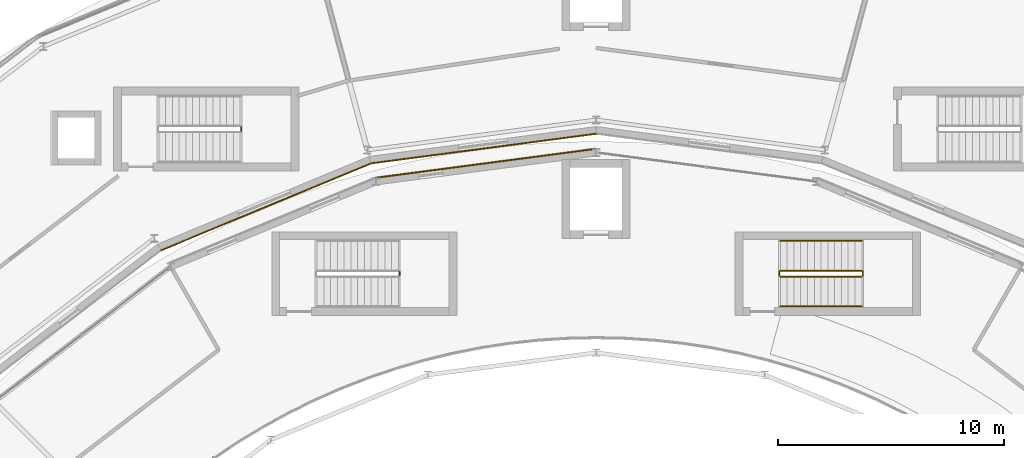
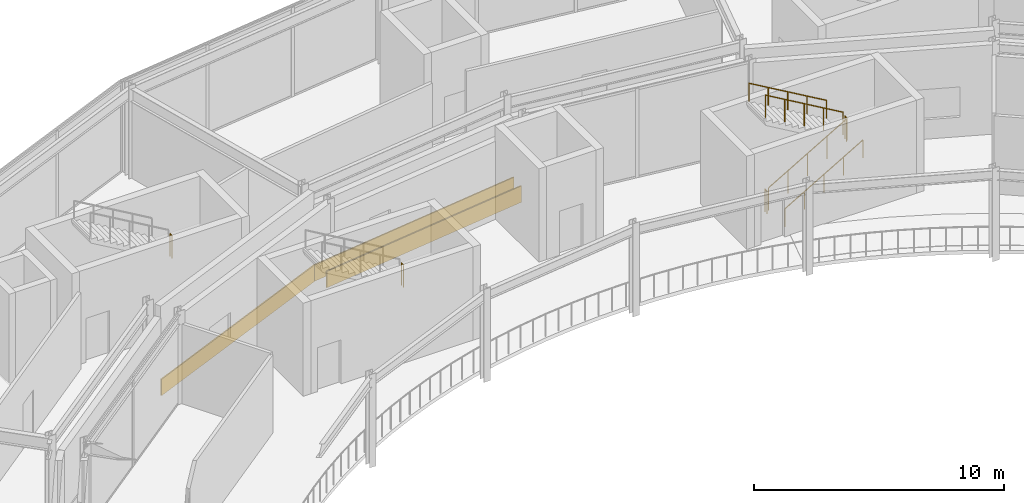
# One storey, part 126 of 133: 8 railings, 3 coverings.
"""IFC4 building model written with IfcOpenShell, lengths in metres."""

from ifc_helpers import new_model, si_unit, direction, frame, origin, origin_2d, place, context, subcontext, project, spatial, rectangle, circle, extrude, material, layer, layer_set, type_object, element, save


model = new_model("IFC4")

# Units and contexts
model_context = context("Model", 3, precision=1e-05, world=origin(), true_north=direction((0.0, 1.0)))
body_context = subcontext(model_context, "Body", "Model", "MODEL_VIEW")
ifc_project = project(units=[si_unit("LENGTHUNIT", "METRE"), si_unit("AREAUNIT", "SQUARE_METRE"), si_unit("VOLUMEUNIT", "CUBIC_METRE"), si_unit("PLANEANGLEUNIT", "RADIAN"), si_unit("MASSUNIT", "GRAM", prefix="KILO")], contexts=[model_context])

# Site, building, storey
site_placement = place(None, origin())
site = spatial("IfcSite", under=ifc_project, at=site_placement, CompositionType="ELEMENT")
building_placement = place(site_placement, origin())
building = spatial("IfcBuilding", under=site, at=building_placement, Name="Almandine Court Research Institute", CompositionType="ELEMENT")
storey_placement = place(building_placement, frame((0.0, 0.0, 9.800048828125)))
storey = spatial("IfcBuildingStorey", under=building, at=storey_placement, Name="L02", CompositionType="ELEMENT", Elevation=9.800048828125)

# Coverings
ifc_material_1 = material(Name="Extruded Cream-Ochre Seismic Terracotta Spandrel", Category="masonry")
ifc_layer = layer(ifc_material_1, 0.054931640625)
ifc_layer_set = layer_set([ifc_layer], Name="Extruded Cream-Ochre Seismic Terracotta Spandrel")
covering_type = type_object("IfcCoveringType", Name="Cov-CLAD-TERR", PredefinedType="CLADDING", material=ifc_layer_set)
for number, where, z_axis, x_axis, name in (
    (1, (82.01904296875, 93.83203125, 0.02001953125), (0.0, 0.0, 1.0), (-0.991444861374, -0.13052619222, 0.0), "L02 Facade Spandrel Cladding Band 353"),
    (2, (72.39697265625, 91.25390625, 0.02001953125), (0.0, 0.0, 1.0), (-0.923879532511, -0.382683432365, 0.0), "L02 Facade Spandrel Cladding Band 355"),
):
    element("IfcCovering", number, at=place(storey_placement, frame(where, z_axis=z_axis, x_axis=x_axis)), inside=storey, type_object=covering_type, Name=name, PredefinedType="CLADDING", context=body_context, shape_type="SweptSolid", body=[
        extrude(rectangle(XDim=10.080078125, YDim=0.054931640625, at=origin_2d()), origin(), (0.0, 0.0, 1.0), 0.800048828125),
    ])
covering_placement = place(storey_placement, frame((82.10498046875, 93.177978515625, 0.02001953125), z_axis=(0.0, 0.0, 1.0), x_axis=(0.991444861374, 0.13052619222, 0.0)))
element("IfcCovering", 3, at=covering_placement, inside=storey, type_object=covering_type, Name="L02 Facade Spandrel Cladding Band 458", PredefinedType="CLADDING", context=body_context, shape_type="SweptSolid", body=[
    extrude(rectangle(XDim=9.821044921875, YDim=0.054931640625, at=origin_2d()), origin(), (0.0, 0.0, 1.0), 0.800048828125),
])

# Railings
ifc_material_2 = material(Name="Powder-Coated Steel Stair and Atrium Balustrade", Category="steel")
railing_type_1 = type_object("IfcRailingType", Name="Rail-GUARD-INT", PredefinedType="BALUSTRADE", material=ifc_material_2)
railing_1_placement = place(storey_placement, frame((95.14990234375, 88.169921875, 0.175048828125)))
element("IfcRailing", 4, at=railing_1_placement, inside=storey, type_object=railing_type_1, Name="L02 ST-03 stair guard 1", PredefinedType="BALUSTRADE", context=body_context, shape_type="SweptSolid", body=[
    extrude(circle(Radius=0.02392578125, at=origin_2d()), frame((0.0, 0.0, 1.09619140625), z_axis=(0.863800146258, 0.0, 0.503834603144), x_axis=(0.0, 1.0, 0.0)), (0.0, 0.0, 1.0), 4.167724609375),
    extrude(circle(Radius=0.02099609375, at=origin_2d()), origin(), (0.0, 0.0, 1.0), 1.072021484375),
    extrude(circle(Radius=0.02099609375, at=origin_2d()), frame((0.89990234375, 0.0, 0.52490234375)), (0.0, 0.0, 1.0), 1.072021484375),
    extrude(circle(Radius=0.02099609375, at=origin_2d()), frame((1.800048828125, 0.0, 1.0498046875)), (0.0, 0.0, 1.0), 1.072021484375),
    extrude(circle(Radius=0.02099609375, at=origin_2d()), frame((2.7001953125, 0.0, 1.574951171875)), (0.0, 0.0, 1.0), 1.072021484375),
    extrude(circle(Radius=0.02099609375, at=origin_2d()), frame((3.60009765625, 0.0, 2.099853515625)), (0.0, 0.0, 1.0), 1.072021484375),
])
railing_2_placement = place(storey_placement, frame((98.800048828125, 88.219970703125, 2.27490234375)))
element("IfcRailing", 5, at=railing_2_placement, inside=storey, type_object=railing_type_1, Name="L02 ST-03 stair guard 2", PredefinedType="BALUSTRADE", context=body_context, shape_type="SweptSolid", body=[
    extrude(circle(Radius=0.02392578125, at=origin_2d()), frame((0.0, 0.0, 1.09619140625), z_axis=(0.0, 1.0, 0.0), x_axis=(-1.0, 0.0, 0.0)), (0.0, 0.0, 1.0), 0.159912109375),
    extrude(circle(Radius=0.02099609375, at=origin_2d()), origin(), (0.0, 0.0, 1.0), 1.072021484375),
    extrude(circle(Radius=0.02099609375, at=origin_2d()), frame((0.0, 0.159912109375, 0.0)), (0.0, 0.0, 1.0), 1.072021484375),
])
railing_3_placement = place(storey_placement, frame((98.75, 88.429931640625, 2.449951171875)))
element("IfcRailing", 6, at=railing_3_placement, inside=storey, type_object=railing_type_1, Name="L02 ST-03 stair guard 3", PredefinedType="BALUSTRADE", context=body_context, shape_type="SweptSolid", body=[
    extrude(circle(Radius=0.02392578125, at=origin_2d()), frame((0.0, 0.0, 1.09619140625), z_axis=(-0.863774651768, 0.0, 0.503878309678), x_axis=(0.0, -1.0, 0.0)), (0.0, 0.0, 1.0), 4.16796875),
    extrude(circle(Radius=0.02099609375, at=origin_2d()), origin(), (0.0, 0.0, 1.0), 1.072021484375),
    extrude(circle(Radius=0.02099609375, at=origin_2d()), frame((-0.89990234375, 0.0, 0.52490234375)), (0.0, 0.0, 1.0), 1.072021484375),
    extrude(circle(Radius=0.02099609375, at=origin_2d()), frame((-1.800048828125, 0.0, 1.050048828125)), (0.0, 0.0, 1.0), 1.072021484375),
    extrude(circle(Radius=0.02099609375, at=origin_2d()), frame((-2.7001953125, 0.0, 1.5751953125)), (0.0, 0.0, 1.0), 1.072021484375),
    extrude(circle(Radius=0.02099609375, at=origin_2d()), frame((-3.60009765625, 0.0, 2.10009765625)), (0.0, 0.0, 1.0), 1.072021484375),
])
for number, where, name in (
    (7, (95.10009765625, 88.219970703125, 0.0), "L02 ST-03 stair guard 4"),
    (8, (78.300048828125, 88.219970703125, 2.27490234375), "L02 ST-04 stair guard 2"),
    (9, (71.300048828125, 94.6201171875, 2.27490234375), "L02 ST-10 stair guard 2"),
):
    element("IfcRailing", number, at=place(storey_placement, frame(where)), inside=storey, type_object=railing_type_1, Name=name, PredefinedType="BALUSTRADE", context=body_context, shape_type="SweptSolid", body=[
        extrude(circle(Radius=0.02392578125, at=origin_2d()), frame((0.0, 0.0, 1.09619140625), z_axis=(0.0, 1.0, 0.0), x_axis=(-1.0, 0.0, 0.0)), (0.0, 0.0, 1.0), 0.159912109375),
        extrude(circle(Radius=0.02099609375, at=origin_2d()), origin(), (0.0, 0.0, 1.0), 1.072021484375),
        extrude(circle(Radius=0.02099609375, at=origin_2d()), frame((0.0, 0.159912109375, 0.0)), (0.0, 0.0, 1.0), 1.072021484375),
    ])
ifc_material_3 = material(Name="Brushed Stainless Steel Wall Handrail", Category="steel")
railing_type_2 = type_object("IfcRailingType", Name="Rail-HAND-INT", PredefinedType="HANDRAIL", material=ifc_material_3)
railing_4_placement = place(storey_placement, frame((95.14990234375, 86.85009765625, 0.175048828125)))
element("IfcRailing", 10, at=railing_4_placement, inside=storey, type_object=railing_type_2, Name="L02 ST-03 stair handrail 1", PredefinedType="HANDRAIL", context=body_context, shape_type="SweptSolid", body=[
    extrude(circle(Radius=0.02392578125, at=origin_2d()), frame((0.0, 0.0, 0.8759765625), z_axis=(0.863800146258, 0.0, 0.503834603144), x_axis=(0.0, 1.0, 0.0)), (0.0, 0.0, 1.0), 4.167724609375),
    extrude(circle(Radius=0.02099609375, at=origin_2d()), origin(), (0.0, 0.0, 1.0), 0.851806640625),
    extrude(circle(Radius=0.02099609375, at=origin_2d()), frame((0.89990234375, 0.0, 0.52490234375)), (0.0, 0.0, 1.0), 0.851806640625),
    extrude(circle(Radius=0.02099609375, at=origin_2d()), frame((1.800048828125, 0.0, 1.0498046875)), (0.0, 0.0, 1.0), 0.851806640625),
    extrude(circle(Radius=0.02099609375, at=origin_2d()), frame((2.7001953125, 0.0, 1.574951171875)), (0.0, 0.0, 1.0), 0.851806640625),
    extrude(circle(Radius=0.02099609375, at=origin_2d()), frame((3.60009765625, 0.0, 2.099853515625)), (0.0, 0.0, 1.0), 0.851806640625),
])
railing_5_placement = place(storey_placement, frame((98.75, 89.75, 2.449951171875)))
element("IfcRailing", 11, at=railing_5_placement, inside=storey, type_object=railing_type_2, Name="L02 ST-03 stair handrail 2", PredefinedType="HANDRAIL", context=body_context, shape_type="SweptSolid", body=[
    extrude(circle(Radius=0.02392578125, at=origin_2d()), frame((0.0, 0.0, 0.8759765625), z_axis=(-0.863774651768, 0.0, 0.503878309678), x_axis=(0.0, -1.0, 0.0)), (0.0, 0.0, 1.0), 4.16796875),
    extrude(circle(Radius=0.02099609375, at=origin_2d()), origin(), (0.0, 0.0, 1.0), 0.851806640625),
    extrude(circle(Radius=0.02099609375, at=origin_2d()), frame((-0.89990234375, 0.0, 0.52490234375)), (0.0, 0.0, 1.0), 0.851806640625),
    extrude(circle(Radius=0.02099609375, at=origin_2d()), frame((-1.800048828125, 0.0, 1.050048828125)), (0.0, 0.0, 1.0), 0.851806640625),
    extrude(circle(Radius=0.02099609375, at=origin_2d()), frame((-2.7001953125, 0.0, 1.5751953125)), (0.0, 0.0, 1.0), 0.851806640625),
    extrude(circle(Radius=0.02099609375, at=origin_2d()), frame((-3.60009765625, 0.0, 2.10009765625)), (0.0, 0.0, 1.0), 0.851806640625),
])

save(model, "model.ifc")
